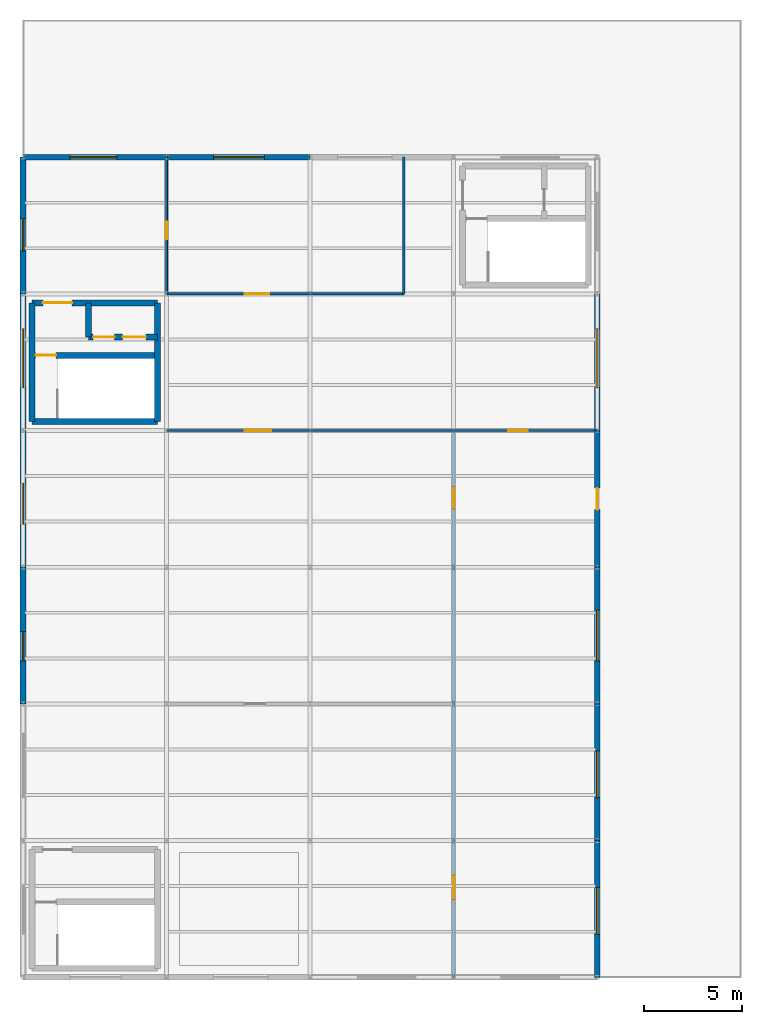
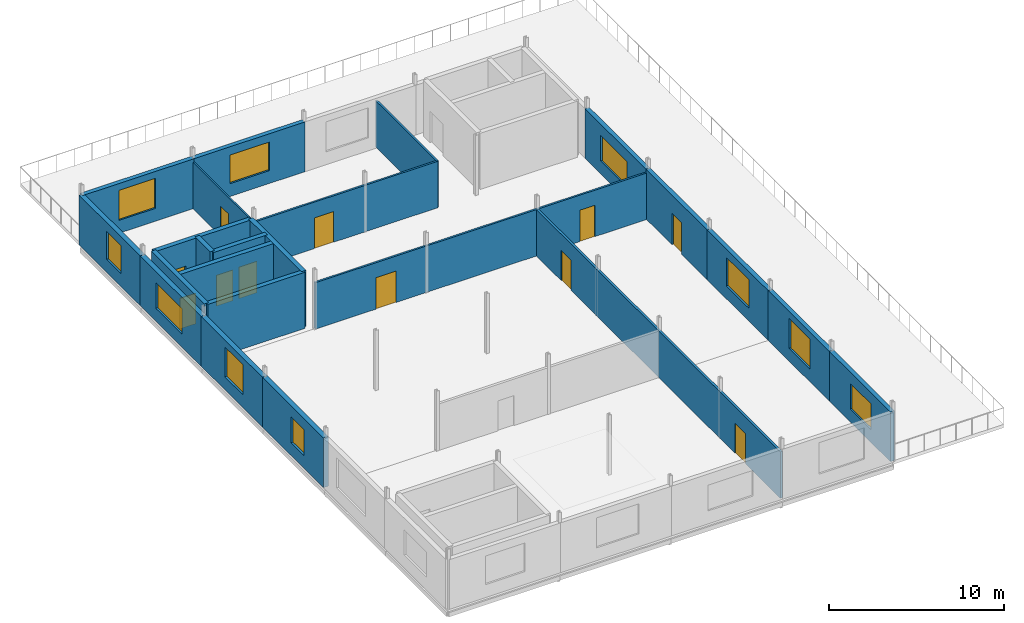
# One storey, part 8 of 10: 23 walls, 11 doors, 10 windows, 21 openings.
"""IFC4 building model written with IfcOpenShell, lengths in metres."""

from ifc_helpers import new_model, si_unit, direction, frame, frame_2d, origin, place, context, subcontext, project, spatial, rectangle, extrude, material, layer, layer_set, type_object, element, fill, save


model = new_model("IFC4")

# Units and contexts
model_context = context("Model", 3, precision=1e-05, world=origin(), true_north=direction((0.0, 1.0)))
body_context = subcontext(model_context, "Body", "Model", "MODEL_VIEW")
ifc_project = project(units=[si_unit("LENGTHUNIT", "METRE"), si_unit("AREAUNIT", "SQUARE_METRE"), si_unit("VOLUMEUNIT", "CUBIC_METRE"), si_unit("PLANEANGLEUNIT", "RADIAN"), si_unit("MASSUNIT", "GRAM", prefix="KILO")], contexts=[model_context])

# Site, building, storey
site_placement = place(None, origin())
site = spatial("IfcSite", under=ifc_project, at=site_placement, CompositionType="ELEMENT")
building_placement = place(site_placement, origin())
building = spatial("IfcBuilding", under=site, at=building_placement, Name="Kazenagashi Tramway Depot", CompositionType="ELEMENT")
storey_placement = place(building_placement, frame((0.0, 0.0, 19.5)))
storey = spatial("IfcBuildingStorey", under=building, at=storey_placement, Name="L05", CompositionType="ELEMENT", Elevation=19.5)

# Wall, opening, window
ifc_material_1 = material(Name="Clay Brick Masonry JIS R 1250 Class 1 (20 MPa)", Category="masonry")
ifc_layer_1 = layer(ifc_material_1, 0.32)
ifc_layer_set_1 = layer_set([ifc_layer_1], Name="Clay Brick Masonry JIS R 1250 Class 1 (20 MPa)")
wall_type_1 = type_object("IfcWallType", Name="W-BK3", PredefinedType="SOLIDWALL", material=ifc_layer_set_1)
wall_1_placement = place(storey_placement, frame((0.0, 14.0, 0.0), z_axis=(0.0, 0.0, 1.0), x_axis=(0.0, 1.0, 0.0)))
wall_1 = element("IfcWall", 1, at=wall_1_placement, inside=storey, type_object=wall_type_1, Name="Exterior Brick Wall W-BK3 EWALL-0213", PredefinedType="SOLIDWALL", context=body_context, shape_type="SweptSolid", body=[
    extrude(rectangle(XDim=7.0, YDim=0.32, at=frame_2d((3.5, 0.0))), origin(), (0.0, 0.0, 1.0), 3.48),
])
opening_1_placement = place(wall_1_placement, frame((2.2, 0.0, 0.9)))
opening_1 = element("IfcOpeningElement", 2, at=opening_1_placement, cuts=wall_1, Name="Opening WN-03", PredefinedType="OPENING", context=body_context, shape_type="SweptSolid", body=[
    extrude(rectangle(XDim=1.5, YDim=1.8, at=frame_2d((0.75, 0.9))), frame((0.0, 0.17, 0.0), z_axis=(0.0, -1.0, 0.0), x_axis=(1.0, 0.0, 0.0)), (0.0, 0.0, 1.0), 0.34),
])
ifc_material_2 = material(Name="Anodised Aluminium and Tempered Low-E Glass", Category="aluminium")
window_type_1 = type_object("IfcWindowType", Name="WN-03", PartitioningType="SINGLE_PANEL", PredefinedType="WINDOW", material=ifc_material_2)
window_1_placement = place(opening_1_placement, origin())
window_1 = element("IfcWindow", 3, at=window_1_placement, inside=storey, type_object=window_type_1, Name="Window WN-03 WIN-0195", OverallHeight=1.8, OverallWidth=1.5, PartitioningType="SINGLE_PANEL", PredefinedType="WINDOW", context=body_context, shape_type="SweptSolid", body=[
    extrude(rectangle(XDim=1.5, YDim=1.8, at=frame_2d((0.75, 0.9))), frame((0.0, 0.03, 0.0), z_axis=(0.0, -1.0, 0.0), x_axis=(1.0, 0.0, 0.0)), (0.0, 0.0, 1.0), 0.06),
])
fill(opening_1, window_1)

wall_2_placement = place(storey_placement, frame((0.0, 21.0, 0.0), z_axis=(0.0, 0.0, 1.0), x_axis=(0.0, 1.0, 0.0)))
wall_2 = element("IfcWall", 4, at=wall_2_placement, inside=storey, type_object=wall_type_1, Name="Exterior Brick Wall W-BK3 EWALL-0218", PredefinedType="SOLIDWALL", context=body_context, shape_type="SweptSolid", body=[
    extrude(rectangle(XDim=7.0, YDim=0.32, at=frame_2d((3.5, 0.0))), origin(), (0.0, 0.0, 1.0), 3.48),
])
opening_2_placement = place(wall_2_placement, frame((2.2, 0.0, 0.9)))
opening_2 = element("IfcOpeningElement", 5, at=opening_2_placement, cuts=wall_2, Name="Opening WN-08", PredefinedType="OPENING", context=body_context, shape_type="SweptSolid", body=[
    extrude(rectangle(XDim=2.1, YDim=2.1, at=frame_2d((1.05, 1.05))), frame((0.0, 0.17, 0.0), z_axis=(0.0, -1.0, 0.0), x_axis=(1.0, 0.0, 0.0)), (0.0, 0.0, 1.0), 0.34),
])
window_type_2 = type_object("IfcWindowType", Name="WN-08", PartitioningType="SINGLE_PANEL", PredefinedType="WINDOW", material=ifc_material_2)
window_2_placement = place(opening_2_placement, origin())
window_2 = element("IfcWindow", 6, at=window_2_placement, inside=storey, type_object=window_type_2, Name="Window WN-08 WIN-0200", OverallHeight=2.1, OverallWidth=2.1, PartitioningType="SINGLE_PANEL", PredefinedType="WINDOW", context=body_context, shape_type="SweptSolid", body=[
    extrude(rectangle(XDim=2.1, YDim=2.1, at=frame_2d((1.05, 1.05))), frame((0.0, 0.03, 0.0), z_axis=(0.0, -1.0, 0.0), x_axis=(1.0, 0.0, 0.0)), (0.0, 0.0, 1.0), 0.06),
])
fill(opening_2, window_2)

wall_3_placement = place(storey_placement, frame((0.0, 28.0, 0.0), z_axis=(0.0, 0.0, 1.0), x_axis=(0.0, 1.0, 0.0)))
wall_3 = element("IfcWall", 7, at=wall_3_placement, inside=storey, type_object=wall_type_1, Name="Exterior Brick Wall W-BK3 EWALL-0223", PredefinedType="SOLIDWALL", context=body_context, shape_type="SweptSolid", body=[
    extrude(rectangle(XDim=7.0, YDim=0.32, at=frame_2d((3.5, 0.0))), origin(), (0.0, 0.0, 1.0), 3.48),
])
opening_3_placement = place(wall_3_placement, frame((2.2, 0.0, 0.9)))
opening_3 = element("IfcOpeningElement", 8, at=opening_3_placement, cuts=wall_3, Name="Opening WN-13", PredefinedType="OPENING", context=body_context, shape_type="SweptSolid", body=[
    extrude(rectangle(XDim=3.0, YDim=1.8, at=frame_2d((1.5, 0.9))), frame((0.0, 0.17, 0.0), z_axis=(0.0, -1.0, 0.0), x_axis=(1.0, 0.0, 0.0)), (0.0, 0.0, 1.0), 0.34),
])
window_type_3 = type_object("IfcWindowType", Name="WN-13", PartitioningType="SINGLE_PANEL", PredefinedType="WINDOW", material=ifc_material_2)
window_3_placement = place(opening_3_placement, origin())
window_3 = element("IfcWindow", 9, at=window_3_placement, inside=storey, type_object=window_type_3, Name="Window WN-13 WIN-0205", OverallHeight=1.8, OverallWidth=3.0, PartitioningType="SINGLE_PANEL", PredefinedType="WINDOW", context=body_context, shape_type="SweptSolid", body=[
    extrude(rectangle(XDim=3.0, YDim=1.8, at=frame_2d((1.5, 0.9))), frame((0.0, 0.03, 0.0), z_axis=(0.0, -1.0, 0.0), x_axis=(1.0, 0.0, 0.0)), (0.0, 0.0, 1.0), 0.06),
])
fill(opening_3, window_3)

wall_4_placement = place(storey_placement, frame((0.0, 35.0, 0.0), z_axis=(0.0, 0.0, 1.0), x_axis=(0.0, 1.0, 0.0)))
wall_4 = element("IfcWall", 10, at=wall_4_placement, inside=storey, type_object=wall_type_1, Name="Exterior Brick Wall W-BK3 EWALL-0228", PredefinedType="SOLIDWALL", context=body_context, shape_type="SweptSolid", body=[
    extrude(rectangle(XDim=7.0, YDim=0.32, at=frame_2d((3.5, 0.0))), origin(), (0.0, 0.0, 1.0), 3.48),
])
opening_4_placement = place(wall_4_placement, frame((2.2, 0.0, 0.9)))
opening_4 = element("IfcOpeningElement", 11, at=opening_4_placement, cuts=wall_4, Name="Opening WN-18", PredefinedType="OPENING", context=body_context, shape_type="SweptSolid", body=[
    extrude(rectangle(XDim=1.65, YDim=1.95, at=frame_2d((0.825, 0.975))), frame((0.0, 0.17, 0.0), z_axis=(0.0, -1.0, 0.0), x_axis=(1.0, 0.0, 0.0)), (0.0, 0.0, 1.0), 0.34),
])
window_type_4 = type_object("IfcWindowType", Name="WN-18", PartitioningType="SINGLE_PANEL", PredefinedType="WINDOW", material=ifc_material_2)
window_4_placement = place(opening_4_placement, origin())
window_4 = element("IfcWindow", 12, at=window_4_placement, inside=storey, type_object=window_type_4, Name="Window WN-18 WIN-0210", OverallHeight=1.95, OverallWidth=1.65, PartitioningType="SINGLE_PANEL", PredefinedType="WINDOW", context=body_context, shape_type="SweptSolid", body=[
    extrude(rectangle(XDim=1.65, YDim=1.95, at=frame_2d((0.825, 0.975))), frame((0.0, 0.03, 0.0), z_axis=(0.0, -1.0, 0.0), x_axis=(1.0, 0.0, 0.0)), (0.0, 0.0, 1.0), 0.06),
])
fill(opening_4, window_4)

ifc_layer_2 = layer(ifc_material_1, 0.28)
ifc_layer_set_2 = layer_set([ifc_layer_2], Name="Clay Brick Masonry JIS R 1250 Class 1 (20 MPa)")
wall_type_2 = type_object("IfcWallType", Name="W-BK5", PredefinedType="SOLIDWALL", material=ifc_layer_set_2)
wall_5_placement = place(storey_placement, frame((29.4, 0.0, 0.0), z_axis=(0.0, 0.0, 1.0), x_axis=(0.0, 1.0, 0.0)))
wall_5 = element("IfcWall", 13, at=wall_5_placement, inside=storey, type_object=wall_type_2, Name="Exterior Brick Wall W-BK5 EWALL-0263", PredefinedType="SOLIDWALL", context=body_context, shape_type="SweptSolid", body=[
    extrude(rectangle(XDim=7.0, YDim=0.28, at=frame_2d((3.5, 0.0))), origin(), (0.0, 0.0, 1.0), 3.48),
])
opening_5_placement = place(wall_5_placement, frame((2.2, 0.0, 0.9)))
opening_5 = element("IfcOpeningElement", 14, at=opening_5_placement, cuts=wall_5, Name="Opening WN-09", PredefinedType="OPENING", context=body_context, shape_type="SweptSolid", body=[
    extrude(rectangle(XDim=2.4, YDim=1.8, at=frame_2d((1.2, 0.9))), frame((0.0, 0.15, 0.0), z_axis=(0.0, -1.0, 0.0), x_axis=(1.0, 0.0, 0.0)), (0.0, 0.0, 1.0), 0.3),
])
window_type_5 = type_object("IfcWindowType", Name="WN-09", PartitioningType="SINGLE_PANEL", PredefinedType="WINDOW", material=ifc_material_2)
window_5_placement = place(opening_5_placement, origin())
window_5 = element("IfcWindow", 15, at=window_5_placement, inside=storey, type_object=window_type_5, Name="Window WN-09 WIN-0232", OverallHeight=1.8, OverallWidth=2.4, PartitioningType="SINGLE_PANEL", PredefinedType="WINDOW", context=body_context, shape_type="SweptSolid", body=[
    extrude(rectangle(XDim=2.4, YDim=1.8, at=frame_2d((1.2, 0.9))), frame((0.0, 0.03, 0.0), z_axis=(0.0, -1.0, 0.0), x_axis=(1.0, 0.0, 0.0)), (0.0, 0.0, 1.0), 0.06),
])
fill(opening_5, window_5)

wall_6_placement = place(storey_placement, frame((29.4, 7.0, 0.0), z_axis=(0.0, 0.0, 1.0), x_axis=(0.0, 1.0, 0.0)))
wall_6 = element("IfcWall", 16, at=wall_6_placement, inside=storey, type_object=wall_type_2, Name="Exterior Brick Wall W-BK5 EWALL-0264", PredefinedType="SOLIDWALL", context=body_context, shape_type="SweptSolid", body=[
    extrude(rectangle(XDim=7.0, YDim=0.28, at=frame_2d((3.5, 0.0))), origin(), (0.0, 0.0, 1.0), 3.48),
])
opening_6_placement = place(wall_6_placement, frame((2.2, 0.0, 0.9)))
opening_6 = element("IfcOpeningElement", 17, at=opening_6_placement, cuts=wall_6, Name="Opening WN-10", PredefinedType="OPENING", context=body_context, shape_type="SweptSolid", body=[
    extrude(rectangle(XDim=2.4, YDim=2.1, at=frame_2d((1.2, 1.05))), frame((0.0, 0.15, 0.0), z_axis=(0.0, -1.0, 0.0), x_axis=(1.0, 0.0, 0.0)), (0.0, 0.0, 1.0), 0.3),
])
window_type_6 = type_object("IfcWindowType", Name="WN-10", PartitioningType="SINGLE_PANEL", PredefinedType="WINDOW", material=ifc_material_2)
window_6_placement = place(opening_6_placement, origin())
window_6 = element("IfcWindow", 18, at=window_6_placement, inside=storey, type_object=window_type_6, Name="Window WN-10 WIN-0233", OverallHeight=2.1, OverallWidth=2.4, PartitioningType="SINGLE_PANEL", PredefinedType="WINDOW", context=body_context, shape_type="SweptSolid", body=[
    extrude(rectangle(XDim=2.4, YDim=2.1, at=frame_2d((1.2, 1.05))), frame((0.0, 0.03, 0.0), z_axis=(0.0, -1.0, 0.0), x_axis=(1.0, 0.0, 0.0)), (0.0, 0.0, 1.0), 0.06),
])
fill(opening_6, window_6)

wall_7_placement = place(storey_placement, frame((29.4, 14.0, 0.0), z_axis=(0.0, 0.0, 1.0), x_axis=(0.0, 1.0, 0.0)))
wall_7 = element("IfcWall", 19, at=wall_7_placement, inside=storey, type_object=wall_type_2, Name="Exterior Brick Wall W-BK5 EWALL-0265", PredefinedType="SOLIDWALL", context=body_context, shape_type="SweptSolid", body=[
    extrude(rectangle(XDim=7.0, YDim=0.28, at=frame_2d((3.5, 0.0))), origin(), (0.0, 0.0, 1.0), 3.48),
])
opening_7_placement = place(wall_7_placement, frame((2.2, 0.0, 0.9)))
opening_7 = element("IfcOpeningElement", 20, at=opening_7_placement, cuts=wall_7, Name="Opening WN-11", PredefinedType="OPENING", context=body_context, shape_type="SweptSolid", body=[
    extrude(rectangle(XDim=2.6, YDim=2.0, at=frame_2d((1.3, 1.0))), frame((0.0, 0.15, 0.0), z_axis=(0.0, -1.0, 0.0), x_axis=(1.0, 0.0, 0.0)), (0.0, 0.0, 1.0), 0.3),
])
window_type_7 = type_object("IfcWindowType", Name="WN-11", PartitioningType="SINGLE_PANEL", PredefinedType="WINDOW", material=ifc_material_2)
window_7_placement = place(opening_7_placement, origin())
window_7 = element("IfcWindow", 21, at=window_7_placement, inside=storey, type_object=window_type_7, Name="Window WN-11 WIN-0234", OverallHeight=2.0, OverallWidth=2.6, PartitioningType="SINGLE_PANEL", PredefinedType="WINDOW", context=body_context, shape_type="SweptSolid", body=[
    extrude(rectangle(XDim=2.6, YDim=2.0, at=frame_2d((1.3, 1.0))), frame((0.0, 0.03, 0.0), z_axis=(0.0, -1.0, 0.0), x_axis=(1.0, 0.0, 0.0)), (0.0, 0.0, 1.0), 0.06),
])
fill(opening_7, window_7)

# Wall, opening, door
wall_8_placement = place(storey_placement, frame((29.4, 21.0, 0.0), z_axis=(0.0, 0.0, 1.0), x_axis=(0.0, 1.0, 0.0)))
wall_8 = element("IfcWall", 22, at=wall_8_placement, inside=storey, type_object=wall_type_2, Name="Exterior Brick Wall W-BK5 EWALL-0266", PredefinedType="SOLIDWALL", context=body_context, shape_type="SweptSolid", body=[
    extrude(rectangle(XDim=7.0, YDim=0.28, at=frame_2d((3.5, 0.0))), origin(), (0.0, 0.0, 1.0), 3.48),
])
opening_8_placement = place(wall_8_placement, frame((2.95, 0.0, 0.0)))
opening_8 = element("IfcOpeningElement", 23, at=opening_8_placement, cuts=wall_8, Name="Opening D-023", PredefinedType="OPENING", context=body_context, shape_type="SweptSolid", body=[
    extrude(rectangle(XDim=1.1, YDim=2.2, at=frame_2d((0.55, 1.1))), frame((0.0, 0.15, 0.0), z_axis=(0.0, -1.0, 0.0), x_axis=(1.0, 0.0, 0.0)), (0.0, 0.0, 1.0), 0.3),
])
ifc_material_3 = material(Name="Anodised Aluminium Terrace Door", Category="aluminium")
door_type_1 = type_object("IfcDoorType", Name="DT-04", OperationType="NOTDEFINED", PredefinedType="DOOR", material=ifc_material_3)
door_1_placement = place(opening_8_placement, frame((1.1, 0.0, 0.0), z_axis=(0.0, 0.0, 1.0), x_axis=(-1.0, 0.0, 0.0)))
door_1 = element("IfcDoor", 24, at=door_1_placement, inside=storey, type_object=door_type_1, Name="L05 Crew Roof Garden Terrace Door D-023", OperationType="SINGLE_SWING_RIGHT", OverallHeight=2.2, OverallWidth=1.1, PredefinedType="DOOR", context=body_context, shape_type="SweptSolid", body=[
    extrude(rectangle(XDim=1.1, YDim=2.2, at=frame_2d((0.55, 1.1))), frame((0.0, 0.025, 0.0), z_axis=(0.0, -1.0, 0.0), x_axis=(1.0, 0.0, 0.0)), (0.0, 0.0, 1.0), 0.05),
])
fill(opening_8, door_1)

# Wall, opening, window
wall_9_placement = place(storey_placement, frame((29.4, 28.0, 0.0), z_axis=(0.0, 0.0, 1.0), x_axis=(0.0, 1.0, 0.0)))
wall_9 = element("IfcWall", 25, at=wall_9_placement, inside=storey, type_object=wall_type_2, Name="Exterior Brick Wall W-BK5 EWALL-0267", PredefinedType="SOLIDWALL", context=body_context, shape_type="SweptSolid", body=[
    extrude(rectangle(XDim=7.0, YDim=0.28, at=frame_2d((3.5, 0.0))), origin(), (0.0, 0.0, 1.0), 3.48),
])
opening_9_placement = place(wall_9_placement, frame((2.2, 0.0, 0.9)))
opening_9 = element("IfcOpeningElement", 26, at=opening_9_placement, cuts=wall_9, Name="Opening WN-13", PredefinedType="OPENING", context=body_context, shape_type="SweptSolid", body=[
    extrude(rectangle(XDim=3.0, YDim=1.8, at=frame_2d((1.5, 0.9))), frame((0.0, 0.15, 0.0), z_axis=(0.0, -1.0, 0.0), x_axis=(1.0, 0.0, 0.0)), (0.0, 0.0, 1.0), 0.3),
])
window_8_placement = place(opening_9_placement, origin())
window_8 = element("IfcWindow", 27, at=window_8_placement, inside=storey, type_object=window_type_3, Name="Window WN-13 WIN-0235", OverallHeight=1.8, OverallWidth=3.0, PartitioningType="SINGLE_PANEL", PredefinedType="WINDOW", context=body_context, shape_type="SweptSolid", body=[
    extrude(rectangle(XDim=3.0, YDim=1.8, at=frame_2d((1.5, 0.9))), frame((0.0, 0.03, 0.0), z_axis=(0.0, -1.0, 0.0), x_axis=(1.0, 0.0, 0.0)), (0.0, 0.0, 1.0), 0.06),
])
fill(opening_9, window_8)

wall_10_placement = place(storey_placement, frame((0.0, 42.0, 0.0), z_axis=(0.0, 0.0, 1.0), x_axis=(1.0, 0.0, 0.0)))
wall_10 = element("IfcWall", 28, at=wall_10_placement, inside=storey, type_object=wall_type_2, Name="Exterior Brick Wall W-BK5 EWALL-0269", PredefinedType="SOLIDWALL", context=body_context, shape_type="SweptSolid", body=[
    extrude(rectangle(XDim=7.35, YDim=0.28, at=frame_2d((3.675, 0.0))), origin(), (0.0, 0.0, 1.0), 3.48),
])
opening_10_placement = place(wall_10_placement, frame((2.4, 0.0, 0.9)))
opening_10 = element("IfcOpeningElement", 29, at=opening_10_placement, cuts=wall_10, Name="Opening WN-10", PredefinedType="OPENING", context=body_context, shape_type="SweptSolid", body=[
    extrude(rectangle(XDim=2.4, YDim=2.1, at=frame_2d((1.2, 1.05))), frame((0.0, 0.15, 0.0), z_axis=(0.0, -1.0, 0.0), x_axis=(1.0, 0.0, 0.0)), (0.0, 0.0, 1.0), 0.3),
])
window_9_placement = place(opening_10_placement, origin())
window_9 = element("IfcWindow", 30, at=window_9_placement, inside=storey, type_object=window_type_6, Name="Window WN-10 WIN-0237", OverallHeight=2.1, OverallWidth=2.4, PartitioningType="SINGLE_PANEL", PredefinedType="WINDOW", context=body_context, shape_type="SweptSolid", body=[
    extrude(rectangle(XDim=2.4, YDim=2.1, at=frame_2d((1.2, 1.05))), frame((0.0, 0.03, 0.0), z_axis=(0.0, -1.0, 0.0), x_axis=(1.0, 0.0, 0.0)), (0.0, 0.0, 1.0), 0.06),
])
fill(opening_10, window_9)

wall_11_placement = place(storey_placement, frame((7.35, 42.0, 0.0), z_axis=(0.0, 0.0, 1.0), x_axis=(1.0, 0.0, 0.0)))
wall_11 = element("IfcWall", 31, at=wall_11_placement, inside=storey, type_object=wall_type_2, Name="Exterior Brick Wall W-BK5 EWALL-0271", PredefinedType="SOLIDWALL", context=body_context, shape_type="SweptSolid", body=[
    extrude(rectangle(XDim=7.35, YDim=0.28, at=frame_2d((3.675, 0.0))), origin(), (0.0, 0.0, 1.0), 3.48),
])
opening_11_placement = place(wall_11_placement, frame((2.4, 0.0, 0.9)))
opening_11 = element("IfcOpeningElement", 32, at=opening_11_placement, cuts=wall_11, Name="Opening WN-11", PredefinedType="OPENING", context=body_context, shape_type="SweptSolid", body=[
    extrude(rectangle(XDim=2.6, YDim=2.0, at=frame_2d((1.3, 1.0))), frame((0.0, 0.15, 0.0), z_axis=(0.0, -1.0, 0.0), x_axis=(1.0, 0.0, 0.0)), (0.0, 0.0, 1.0), 0.3),
])
window_10_placement = place(opening_11_placement, origin())
window_10 = element("IfcWindow", 33, at=window_10_placement, inside=storey, type_object=window_type_7, Name="Window WN-11 WIN-0239", OverallHeight=2.0, OverallWidth=2.6, PartitioningType="SINGLE_PANEL", PredefinedType="WINDOW", context=body_context, shape_type="SweptSolid", body=[
    extrude(rectangle(XDim=2.6, YDim=2.0, at=frame_2d((1.3, 1.0))), frame((0.0, 0.03, 0.0), z_axis=(0.0, -1.0, 0.0), x_axis=(1.0, 0.0, 0.0)), (0.0, 0.0, 1.0), 0.06),
])
fill(opening_11, window_10)

# Wall, openings, doors
ifc_material_4 = material(Name="Gypsum Plasterboard Partition", Category="gypsum")
ifc_layer_3 = layer(ifc_material_4, 0.15)
ifc_layer_set_3 = layer_set([ifc_layer_3], Name="Gypsum Plasterboard Partition")
wall_type_3 = type_object("IfcWallType", Name="W-PT1", PredefinedType="PARTITIONING", material=ifc_layer_set_3)
wall_12_placement = place(storey_placement, frame((22.05, 0.0, 0.0), z_axis=(0.0, 0.0, 1.0), x_axis=(0.0, 1.0, 0.0)))
wall_12 = element("IfcWall", 34, at=wall_12_placement, inside=storey, type_object=wall_type_3, Name="Interior Partition W-PT1 IWALL-0290", PredefinedType="PARTITIONING", context=body_context, shape_type="SweptSolid", body=[
    extrude(rectangle(XDim=28.0, YDim=0.15, at=frame_2d((14.0, 0.0))), origin(), (0.0, 0.0, 1.0), 3.25),
])
opening_12_placement = place(wall_12_placement, frame((4.0, 0.0, 0.0)))
opening_12 = element("IfcOpeningElement", 35, at=opening_12_placement, cuts=wall_12, Name="Opening D-204", PredefinedType="OPENING", context=body_context, shape_type="SweptSolid", body=[
    extrude(rectangle(XDim=1.2, YDim=2.1, at=frame_2d((0.6, 1.05))), frame((0.0, 0.085, 0.0), z_axis=(0.0, -1.0, 0.0), x_axis=(1.0, 0.0, 0.0)), (0.0, 0.0, 1.0), 0.17),
])
opening_13_placement = place(wall_12_placement, frame((24.0, 0.0, 0.0)))
opening_13 = element("IfcOpeningElement", 36, at=opening_13_placement, cuts=wall_12, Name="Opening D-205", PredefinedType="OPENING", context=body_context, shape_type="SweptSolid", body=[
    extrude(rectangle(XDim=1.1, YDim=2.1, at=frame_2d((0.55, 1.05))), frame((0.0, 0.085, 0.0), z_axis=(0.0, -1.0, 0.0), x_axis=(1.0, 0.0, 0.0)), (0.0, 0.0, 1.0), 0.17),
])
ifc_material_5 = material(Name="Powder-Coated Steel Door", Category="steel")
door_type_2 = type_object("IfcDoorType", Name="DT-12", OperationType="NOTDEFINED", PredefinedType="DOOR", material=ifc_material_5)
door_2_placement = place(opening_13_placement, origin())
door_2 = element("IfcDoor", 37, at=door_2_placement, inside=storey, type_object=door_type_2, Name="Interior Door D-205", OperationType="SINGLE_SWING_RIGHT", OverallHeight=2.1, OverallWidth=1.1, PredefinedType="DOOR", context=body_context, shape_type="SweptSolid", body=[
    extrude(rectangle(XDim=1.1, YDim=2.1, at=frame_2d((0.55, 1.05))), frame((0.0, 0.025, 0.0), z_axis=(0.0, -1.0, 0.0), x_axis=(1.0, 0.0, 0.0)), (0.0, 0.0, 1.0), 0.05),
])
fill(opening_13, door_2)
ifc_material_6 = material(Name="Acoustic Fire-Rated Timber-Core Door", Category="wood")
door_type_3 = type_object("IfcDoorType", Name="DT-22", OperationType="NOTDEFINED", PredefinedType="DOOR", material=ifc_material_6)
door_3_placement = place(opening_12_placement, origin())
door_3 = element("IfcDoor", 38, at=door_3_placement, inside=storey, type_object=door_type_3, Name="Interior Door D-204", OperationType="SINGLE_SWING_LEFT", OverallHeight=2.1, OverallWidth=1.2, PredefinedType="DOOR", context=body_context, shape_type="SweptSolid", body=[
    extrude(rectangle(XDim=1.2, YDim=2.1, at=frame_2d((0.6, 1.05))), frame((0.0, 0.025, 0.0), z_axis=(0.0, -1.0, 0.0), x_axis=(1.0, 0.0, 0.0)), (0.0, 0.0, 1.0), 0.05),
])
fill(opening_12, door_3)

ifc_layer_4 = layer(ifc_material_4, 0.125)
ifc_layer_set_4 = layer_set([ifc_layer_4], Name="Gypsum Plasterboard Partition")
wall_type_4 = type_object("IfcWallType", Name="W-PT2", PredefinedType="PARTITIONING", material=ifc_layer_set_4)
wall_13_placement = place(storey_placement, frame((7.35, 28.0, 0.0), z_axis=(0.0, 0.0, 1.0), x_axis=(1.0, 0.0, 0.0)))
wall_13 = element("IfcWall", 39, at=wall_13_placement, inside=storey, type_object=wall_type_4, Name="Interior Partition W-PT2 IWALL-0291", PredefinedType="PARTITIONING", context=body_context, shape_type="SweptSolid", body=[
    extrude(rectangle(XDim=22.05, YDim=0.125, at=frame_2d((11.025, 0.0))), origin(), (0.0, 0.0, 1.0), 3.25),
])
opening_14_placement = place(wall_13_placement, frame((4.0, 0.0, 0.0)))
opening_14 = element("IfcOpeningElement", 40, at=opening_14_placement, cuts=wall_13, Name="Opening D-206", PredefinedType="OPENING", context=body_context, shape_type="SweptSolid", body=[
    extrude(rectangle(XDim=1.35, YDim=2.2, at=frame_2d((0.675, 1.1))), frame((0.0, 0.0725, 0.0), z_axis=(0.0, -1.0, 0.0), x_axis=(1.0, 0.0, 0.0)), (0.0, 0.0, 1.0), 0.145),
])
opening_15_placement = place(wall_13_placement, frame((17.5, 0.0, 0.0)))
opening_15 = element("IfcOpeningElement", 41, at=opening_15_placement, cuts=wall_13, Name="Opening D-207", PredefinedType="OPENING", context=body_context, shape_type="SweptSolid", body=[
    extrude(rectangle(XDim=1.0, YDim=2.2, at=frame_2d((0.5, 1.1))), frame((0.0, 0.0725, 0.0), z_axis=(0.0, -1.0, 0.0), x_axis=(1.0, 0.0, 0.0)), (0.0, 0.0, 1.0), 0.145),
])
door_type_4 = type_object("IfcDoorType", Name="DT-11", OperationType="NOTDEFINED", PredefinedType="DOOR", material=ifc_material_5)
door_4_placement = place(opening_15_placement, origin())
door_4 = element("IfcDoor", 42, at=door_4_placement, inside=storey, type_object=door_type_4, Name="Interior Door D-207", OperationType="SINGLE_SWING_RIGHT", OverallHeight=2.2, OverallWidth=1.0, PredefinedType="DOOR", context=body_context, shape_type="SweptSolid", body=[
    extrude(rectangle(XDim=1.0, YDim=2.2, at=frame_2d((0.5, 1.1))), frame((0.0, 0.025, 0.0), z_axis=(0.0, -1.0, 0.0), x_axis=(1.0, 0.0, 0.0)), (0.0, 0.0, 1.0), 0.05),
])
fill(opening_15, door_4)
door_type_5 = type_object("IfcDoorType", Name="DT-15", OperationType="NOTDEFINED", PredefinedType="DOOR", material=ifc_material_5)
door_5_placement = place(opening_14_placement, origin())
door_5 = element("IfcDoor", 43, at=door_5_placement, inside=storey, type_object=door_type_5, Name="Interior Door D-206", OperationType="DOUBLE_DOOR_SINGLE_SWING", OverallHeight=2.2, OverallWidth=1.35, PredefinedType="DOOR", context=body_context, shape_type="SweptSolid", body=[
    extrude(rectangle(XDim=1.35, YDim=2.2, at=frame_2d((0.675, 1.1))), frame((0.0, 0.025, 0.0), z_axis=(0.0, -1.0, 0.0), x_axis=(1.0, 0.0, 0.0)), (0.0, 0.0, 1.0), 0.05),
])
fill(opening_14, door_5)

# Wall, opening, door
wall_14_placement = place(storey_placement, frame((7.35, 35.0, 0.0), z_axis=(0.0, 0.0, 1.0), x_axis=(1.0, 0.0, 0.0)))
wall_14 = element("IfcWall", 44, at=wall_14_placement, inside=storey, type_object=wall_type_4, Name="Interior Partition W-PT2 IWALL-0292", PredefinedType="PARTITIONING", context=body_context, shape_type="SweptSolid", body=[
    extrude(rectangle(XDim=12.15, YDim=0.125, at=frame_2d((6.075, 0.0))), origin(), (0.0, 0.0, 1.0), 3.25),
])
opening_16_placement = place(wall_14_placement, frame((4.0, 0.0, 0.0)))
opening_16 = element("IfcOpeningElement", 45, at=opening_16_placement, cuts=wall_14, Name="Opening D-208", PredefinedType="OPENING", context=body_context, shape_type="SweptSolid", body=[
    extrude(rectangle(XDim=1.25, YDim=2.15, at=frame_2d((0.625, 1.075))), frame((0.0, 0.0725, 0.0), z_axis=(0.0, -1.0, 0.0), x_axis=(1.0, 0.0, 0.0)), (0.0, 0.0, 1.0), 0.145),
])
door_type_6 = type_object("IfcDoorType", Name="DT-14", OperationType="NOTDEFINED", PredefinedType="DOOR", material=ifc_material_5)
door_6_placement = place(opening_16_placement, origin())
door_6 = element("IfcDoor", 46, at=door_6_placement, inside=storey, type_object=door_type_6, Name="Interior Door D-208", OperationType="SINGLE_SWING_LEFT", OverallHeight=2.15, OverallWidth=1.25, PredefinedType="DOOR", context=body_context, shape_type="SweptSolid", body=[
    extrude(rectangle(XDim=1.25, YDim=2.15, at=frame_2d((0.625, 1.075))), frame((0.0, 0.025, 0.0), z_axis=(0.0, -1.0, 0.0), x_axis=(1.0, 0.0, 0.0)), (0.0, 0.0, 1.0), 0.05),
])
fill(opening_16, door_6)

# Wall
wall_15_placement = place(storey_placement, frame((19.5, 35.0, 0.0), z_axis=(0.0, 0.0, 1.0), x_axis=(0.0, 1.0, 0.0)))
element("IfcWall", 47, at=wall_15_placement, inside=storey, type_object=wall_type_4, Name="Interior Partition W-PT2 IWALL-0293", PredefinedType="PARTITIONING", context=body_context, shape_type="SweptSolid", body=[
    extrude(rectangle(XDim=7.0, YDim=0.125, at=frame_2d((3.5, 0.0))), origin(), (0.0, 0.0, 1.0), 3.25),
])

# Wall, opening, door
ifc_layer_5 = layer(ifc_material_4, 0.1)
ifc_layer_set_5 = layer_set([ifc_layer_5], Name="Gypsum Plasterboard Partition")
wall_type_5 = type_object("IfcWallType", Name="W-PT3", PredefinedType="PARTITIONING", material=ifc_layer_set_5)
wall_16_placement = place(storey_placement, frame((7.35, 35.0, 0.0), z_axis=(0.0, 0.0, 1.0), x_axis=(0.0, 1.0, 0.0)))
wall_16 = element("IfcWall", 48, at=wall_16_placement, inside=storey, type_object=wall_type_5, Name="Interior Partition W-PT3 IWALL-0294", PredefinedType="PARTITIONING", context=body_context, shape_type="SweptSolid", body=[
    extrude(rectangle(XDim=7.0, YDim=0.1, at=frame_2d((3.5, 0.0))), origin(), (0.0, 0.0, 1.0), 3.25),
])
opening_17_placement = place(wall_16_placement, frame((2.8, 0.0, 0.0)))
opening_17 = element("IfcOpeningElement", 49, at=opening_17_placement, cuts=wall_16, Name="Opening D-209", PredefinedType="OPENING", context=body_context, shape_type="SweptSolid", body=[
    extrude(rectangle(XDim=0.9, YDim=2.1, at=frame_2d((0.45, 1.05))), frame((0.0, 0.06, 0.0), z_axis=(0.0, -1.0, 0.0), x_axis=(1.0, 0.0, 0.0)), (0.0, 0.0, 1.0), 0.12),
])
door_type_7 = type_object("IfcDoorType", Name="DT-19", OperationType="NOTDEFINED", PredefinedType="DOOR", material=ifc_material_5)
door_7_placement = place(opening_17_placement, origin())
door_7 = element("IfcDoor", 50, at=door_7_placement, inside=storey, type_object=door_type_7, Name="Interior Door D-209", OperationType="SINGLE_SWING_RIGHT", OverallHeight=2.1, OverallWidth=0.9, PredefinedType="DOOR", context=body_context, shape_type="SweptSolid", body=[
    extrude(rectangle(XDim=0.9, YDim=2.1, at=frame_2d((0.45, 1.05))), frame((0.0, 0.025, 0.0), z_axis=(0.0, -1.0, 0.0), x_axis=(1.0, 0.0, 0.0)), (0.0, 0.0, 1.0), 0.05),
])
fill(opening_17, door_7)

# Wall
ifc_material_7 = material(Name="Concrete Fc36", Category="concrete")
ifc_layer_6 = layer(ifc_material_7, 0.3)
ifc_layer_set_6 = layer_set([ifc_layer_6], Name="Concrete Fc36")
wall_type_6 = type_object("IfcWallType", Name="W-RC1", PredefinedType="SHEAR", material=ifc_layer_set_6)
wall_17_placement = place(storey_placement, frame((0.46, 28.46, 0.0), z_axis=(0.0, 0.0, 1.0), x_axis=(1.0, 0.0, 0.0)))
element("IfcWall", 51, at=wall_17_placement, inside=storey, type_object=wall_type_6, Name="Core Shear Wall W-RC1 IWALL-0041", PredefinedType="SHEAR", context=body_context, shape_type="SweptSolid", body=[
    extrude(rectangle(XDim=6.43, YDim=0.3, at=frame_2d((3.215, 0.0))), origin(), (0.0, 0.0, 1.0), 3.92),
])

# Wall, opening, door
wall_18_placement = place(storey_placement, frame((0.46, 34.54, 0.0), z_axis=(0.0, 0.0, 1.0), x_axis=(1.0, 0.0, 0.0)))
wall_18 = element("IfcWall", 52, at=wall_18_placement, inside=storey, type_object=wall_type_6, Name="Core Shear Wall W-RC1 IWALL-0042", PredefinedType="SHEAR", context=body_context, shape_type="SweptSolid", body=[
    extrude(rectangle(XDim=6.43, YDim=0.3, at=frame_2d((3.215, 0.0))), origin(), (0.0, 0.0, 1.0), 3.92),
])
opening_18_placement = place(wall_18_placement, frame((0.55, 0.0, 0.0)))
opening_18 = element("IfcOpeningElement", 53, at=opening_18_placement, cuts=wall_18, Name="Opening D-060", PredefinedType="OPENING", context=body_context, shape_type="SweptSolid", body=[
    extrude(rectangle(XDim=1.5, YDim=2.2, at=frame_2d((0.75, 1.1))), frame((0.0, 0.16, 0.0), z_axis=(0.0, -1.0, 0.0), x_axis=(1.0, 0.0, 0.0)), (0.0, 0.0, 1.0), 0.32),
])
ifc_material_8 = material(Name="Galvanised Fire-Rated Steel Door", Category="steel")
door_type_8 = type_object("IfcDoorType", Name="DT-05", OperationType="NOTDEFINED", PredefinedType="DOOR", material=ifc_material_8)
door_8_placement = place(opening_18_placement, origin())
door_8 = element("IfcDoor", 54, at=door_8_placement, inside=storey, type_object=door_type_8, Name="Interior Door D-060", OperationType="DOUBLE_DOOR_SINGLE_SWING", OverallHeight=2.2, OverallWidth=1.5, PredefinedType="DOOR", context=body_context, shape_type="SweptSolid", body=[
    extrude(rectangle(XDim=1.5, YDim=2.2, at=frame_2d((0.75, 1.1))), frame((0.0, 0.025, 0.0), z_axis=(0.0, -1.0, 0.0), x_axis=(1.0, 0.0, 0.0)), (0.0, 0.0, 1.0), 0.05),
])
fill(opening_18, door_8)

# Walls
for number, where, z_axis, x_axis, name in (
    (55, (0.46, 28.46, 0.0), (0.0, 0.0, 1.0), (0.0, 1.0, 0.0), "Core Shear Wall W-RC1 IWALL-0043"),
    (56, (6.89, 28.46, 0.0), (0.0, 0.0, 1.0), (0.0, 1.0, 0.0), "Core Shear Wall W-RC1 IWALL-0044"),
):
    element("IfcWall", number, at=place(storey_placement, frame(where, z_axis=z_axis, x_axis=x_axis)), inside=storey, type_object=wall_type_6, Name=name, PredefinedType="SHEAR", context=body_context, shape_type="SweptSolid", body=[
        extrude(rectangle(XDim=6.08, YDim=0.3, at=frame_2d((3.04, 0.0))), origin(), (0.0, 0.0, 1.0), 3.92),
    ])

# Wall, opening, door
wall_19_placement = place(storey_placement, frame((0.46, 31.85, 0.0), z_axis=(0.0, 0.0, 1.0), x_axis=(1.0, 0.0, 0.0)))
wall_19 = element("IfcWall", 57, at=wall_19_placement, inside=storey, type_object=wall_type_6, Name="Core Shear Wall W-RC1 IWALL-0045", PredefinedType="SHEAR", context=body_context, shape_type="SweptSolid", body=[
    extrude(rectangle(XDim=6.43, YDim=0.3, at=frame_2d((3.215, 0.0))), origin(), (0.0, 0.0, 1.0), 3.92),
])
opening_19_placement = place(wall_19_placement, frame((0.185, 0.0, 0.0)))
opening_19 = element("IfcOpeningElement", 58, at=opening_19_placement, cuts=wall_19, Name="Opening D-059", PredefinedType="OPENING", context=body_context, shape_type="SweptSolid", body=[
    extrude(rectangle(XDim=1.05, YDim=2.15, at=frame_2d((0.525, 1.075))), frame((0.0, 0.16, 0.0), z_axis=(0.0, -1.0, 0.0), x_axis=(1.0, 0.0, 0.0)), (0.0, 0.0, 1.0), 0.32),
])
door_type_9 = type_object("IfcDoorType", Name="DT-07", OperationType="NOTDEFINED", PredefinedType="DOOR", material=ifc_material_8)
door_9_placement = place(opening_19_placement, origin())
door_9 = element("IfcDoor", 59, at=door_9_placement, inside=storey, type_object=door_type_9, Name="Interior Door D-059", OperationType="SINGLE_SWING_RIGHT", OverallHeight=2.15, OverallWidth=1.05, PredefinedType="DOOR", context=body_context, shape_type="SweptSolid", body=[
    extrude(rectangle(XDim=1.05, YDim=2.15, at=frame_2d((0.525, 1.075))), frame((0.0, 0.025, 0.0), z_axis=(0.0, -1.0, 0.0), x_axis=(1.0, 0.0, 0.0)), (0.0, 0.0, 1.0), 0.05),
])
fill(opening_19, door_9)

# Wall
wall_20_placement = place(storey_placement, frame((3.34, 32.79, 0.0), z_axis=(0.0, 0.0, 1.0), x_axis=(0.0, 1.0, 0.0)))
element("IfcWall", 60, at=wall_20_placement, inside=storey, type_object=wall_type_6, Name="Core Shear Wall W-RC1 IWALL-0046", PredefinedType="SHEAR", context=body_context, shape_type="SweptSolid", body=[
    extrude(rectangle(XDim=1.75, YDim=0.3, at=frame_2d((0.875, 0.0))), origin(), (0.0, 0.0, 1.0), 3.92),
])

# Wall, openings, doors
wall_21_placement = place(storey_placement, frame((3.34, 32.79, 0.0), z_axis=(0.0, 0.0, 1.0), x_axis=(1.0, 0.0, 0.0)))
wall_21 = element("IfcWall", 61, at=wall_21_placement, inside=storey, type_object=wall_type_6, Name="Core Shear Wall W-RC1 IWALL-0047", PredefinedType="SHEAR", context=body_context, shape_type="SweptSolid", body=[
    extrude(rectangle(XDim=3.55, YDim=0.3, at=frame_2d((1.775, 0.0))), origin(), (0.0, 0.0, 1.0), 3.92),
])
opening_20_placement = place(wall_21_placement, frame((0.25, 0.0, 0.0)))
opening_20 = element("IfcOpeningElement", 62, at=opening_20_placement, cuts=wall_21, Name="Opening LD-09", PredefinedType="OPENING", context=body_context, shape_type="SweptSolid", body=[
    extrude(rectangle(XDim=1.1, YDim=2.15, at=frame_2d((0.55, 1.075))), frame((0.0, 0.16, 0.0), z_axis=(0.0, -1.0, 0.0), x_axis=(1.0, 0.0, 0.0)), (0.0, 0.0, 1.0), 0.32),
])
opening_21_placement = place(wall_21_placement, frame((1.75, 0.0, 0.0)))
opening_21 = element("IfcOpeningElement", 63, at=opening_21_placement, cuts=wall_21, Name="Opening LD-10", PredefinedType="OPENING", context=body_context, shape_type="SweptSolid", body=[
    extrude(rectangle(XDim=1.2, YDim=2.2, at=frame_2d((0.6, 1.1))), frame((0.0, 0.16, 0.0), z_axis=(0.0, -1.0, 0.0), x_axis=(1.0, 0.0, 0.0)), (0.0, 0.0, 1.0), 0.32),
])
ifc_material_9 = material(Name="Brushed Stainless Steel Landing Door", Category="steel")
door_type_10 = type_object("IfcDoorType", Name="DT-29", OperationType="NOTDEFINED", PredefinedType="DOOR", material=ifc_material_9)
door_10_placement = place(opening_20_placement, origin())
door_10 = element("IfcDoor", 64, at=door_10_placement, inside=storey, type_object=door_type_10, Name="Lift Sliding Landing Door LD-09", OperationType="SLIDING_TO_LEFT", OverallHeight=2.15, OverallWidth=1.1, PredefinedType="DOOR", context=body_context, shape_type="SweptSolid", body=[
    extrude(rectangle(XDim=1.1, YDim=2.15, at=frame_2d((0.55, 1.075))), frame((0.0, 0.025, 0.0), z_axis=(0.0, -1.0, 0.0), x_axis=(1.0, 0.0, 0.0)), (0.0, 0.0, 1.0), 0.05),
])
fill(opening_20, door_10)
door_type_11 = type_object("IfcDoorType", Name="DT-30", OperationType="NOTDEFINED", PredefinedType="DOOR", material=ifc_material_9)
door_11_placement = place(opening_21_placement, origin())
door_11 = element("IfcDoor", 65, at=door_11_placement, inside=storey, type_object=door_type_11, Name="Lift Sliding Landing Door LD-10", OperationType="SLIDING_TO_RIGHT", OverallHeight=2.2, OverallWidth=1.2, PredefinedType="DOOR", context=body_context, shape_type="SweptSolid", body=[
    extrude(rectangle(XDim=1.2, YDim=2.2, at=frame_2d((0.6, 1.1))), frame((0.0, 0.025, 0.0), z_axis=(0.0, -1.0, 0.0), x_axis=(1.0, 0.0, 0.0)), (0.0, 0.0, 1.0), 0.05),
])
fill(opening_21, door_11)

save(model, "model.ifc")
